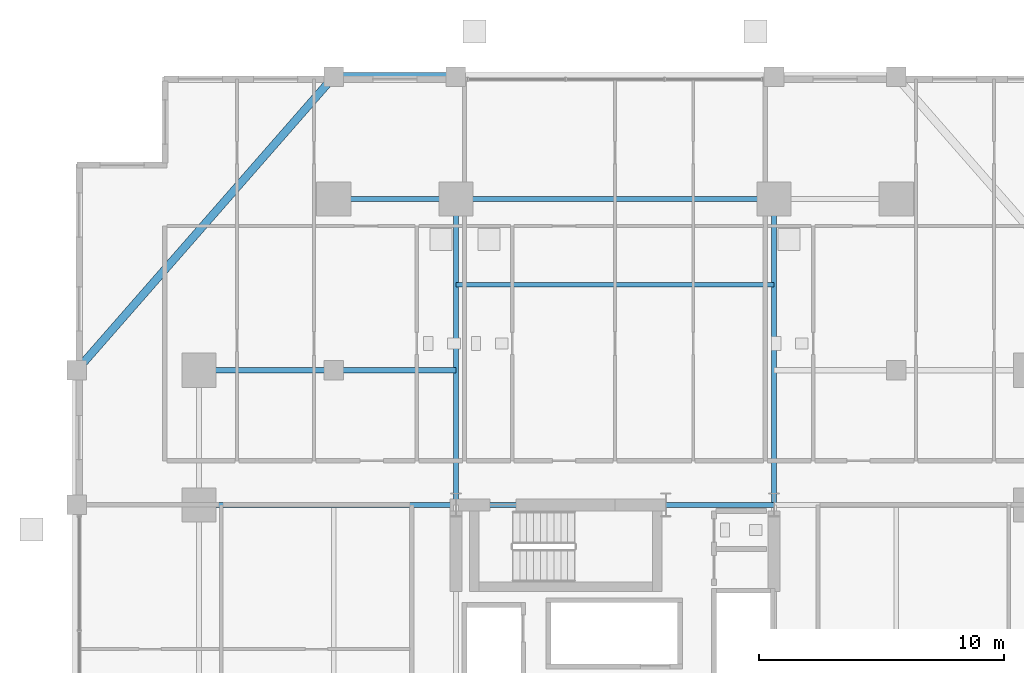
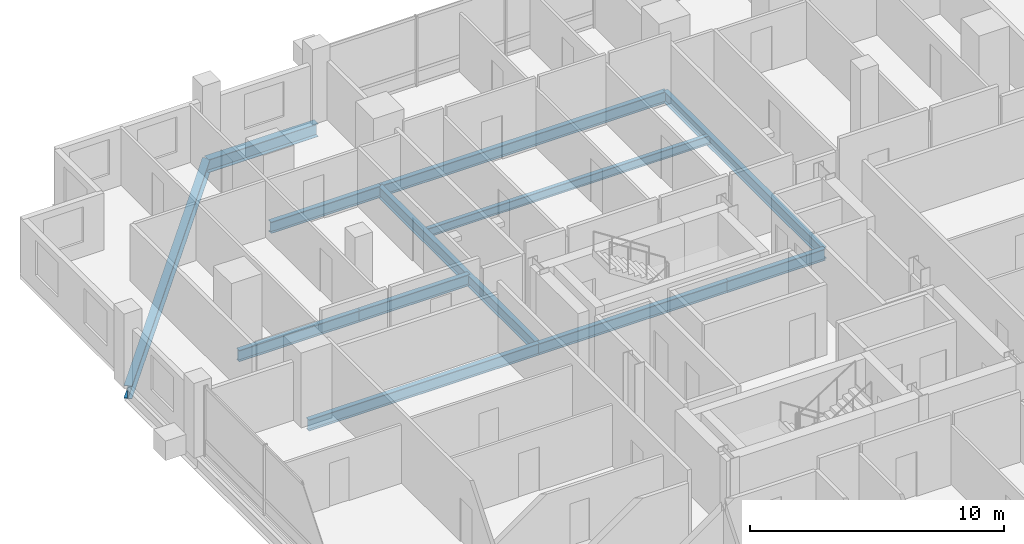
# One storey, part 12 of 24: 12 beams.
"""IFC4 building model written with IfcOpenShell, lengths in metres."""

from ifc_helpers import new_model, si_unit, direction, frame, origin, origin_2d, place, context, subcontext, project, spatial, i_section, extrude, material, material_profile, profile_set, type_object, element, save


model = new_model("IFC4")

# Units and contexts
model_context = context("Model", 3, precision=1e-05, world=origin(), true_north=direction((0.0, 1.0)))
body_context = subcontext(model_context, "Body", "Model", "MODEL_VIEW")
ifc_project = project(units=[si_unit("LENGTHUNIT", "METRE"), si_unit("AREAUNIT", "SQUARE_METRE"), si_unit("VOLUMEUNIT", "CUBIC_METRE"), si_unit("PLANEANGLEUNIT", "RADIAN"), si_unit("MASSUNIT", "GRAM", prefix="KILO")], contexts=[model_context])

# Site, building, storey
site_placement = place(None, origin())
site = spatial("IfcSite", under=ifc_project, at=site_placement, CompositionType="ELEMENT")
building_placement = place(site_placement, origin())
building = spatial("IfcBuilding", under=site, at=building_placement, Name="Barlavira Tower and Art Museum", CompositionType="ELEMENT")
storey_placement = place(building_placement, frame((0.0, 0.0, 43.199951171875)))
storey = spatial("IfcBuildingStorey", under=building, at=storey_placement, Name="L09", CompositionType="ELEMENT", Elevation=43.199951171875)

# Beams
ifc_material = material(Name="Steel S355", Category="steel")
ifc_material_profile_1 = material_profile(ifc_material, i_section(OverallWidth=0.327880859375, OverallDepth=0.62890625, WebThickness=0.013916015625, FlangeThickness=0.021484375, at=origin_2d()), Name="W610x174.0")
ifc_profile_set_1 = profile_set([ifc_material_profile_1], Name="Steel S355")
beam_type_1 = type_object("IfcBeamType", Name="Perimeter Spandrel Edge Beam W610x174 Steel S355", PredefinedType="SPANDREL", material=ifc_profile_set_1)
beam_1_placement = place(storey_placement, frame((-11.5, 25.0, -0.534423828125), z_axis=(1.0, 0.0, 0.0), x_axis=(0.0, 1.0, 0.0)))
element("IfcBeam", 1, at=beam_1_placement, inside=storey, type_object=beam_type_1, Name="L09 Spandrel 11", PredefinedType="SPANDREL", context=body_context, shape_type="SweptSolid", body=[
    extrude(i_section(OverallWidth=0.327880859375, OverallDepth=0.62890625, WebThickness=0.013916015625, FlangeThickness=0.021484375, at=origin_2d()), origin(), (0.0, 0.0, 1.0), 5.0),
])
beam_2_placement = place(storey_placement, frame((-11.5, 25.0, -0.534423828125), z_axis=(-0.658504607869, -0.752576694707, 0.0), x_axis=(0.752576694707, -0.658504607869, 0.0)))
element("IfcBeam", 2, at=beam_2_placement, inside=storey, type_object=beam_type_1, Name="L09 Spandrel 12", PredefinedType="SPANDREL", context=body_context, shape_type="SweptSolid", body=[
    extrude(i_section(OverallWidth=0.327880859375, OverallDepth=0.62890625, WebThickness=0.013916015625, FlangeThickness=0.021484375, at=origin_2d()), origin(), (0.0, 0.0, 1.0), 15.9453125),
])
ifc_material_profile_2 = material_profile(ifc_material, i_section(OverallWidth=0.180908203125, OverallDepth=0.4169921875, WebThickness=0.010986328125, FlangeThickness=0.018310546875, at=origin_2d()), Name="W410x85.0")
ifc_profile_set_2 = profile_set([ifc_material_profile_2], Name="Steel S355")
beam_type_2 = type_object("IfcBeamType", Name="Zone 1 Composite Floor Joist W410x85 Steel S355", PredefinedType="JOIST", material=ifc_profile_set_2)
beam_3_placement = place(storey_placement, frame((-6.5, 16.5, -0.428466796875), z_axis=(1.0, 0.0, 0.0), x_axis=(0.0, 1.0, 0.0)))
element("IfcBeam", 3, at=beam_3_placement, inside=storey, type_object=beam_type_2, Name="L09 Joist C2", PredefinedType="JOIST", context=body_context, shape_type="SweptSolid", body=[
    extrude(i_section(OverallWidth=0.180908203125, OverallDepth=0.4169921875, WebThickness=0.010986328125, FlangeThickness=0.018310546875, at=origin_2d()), origin(), (0.0, 0.0, 1.0), 13.0),
])
ifc_material_profile_3 = material_profile(ifc_material, i_section(OverallWidth=0.214111328125, OverallDepth=0.549072265625, WebThickness=0.0146484375, FlangeThickness=0.023681640625, at=origin_2d()), Name="W530x138.0")
ifc_profile_set_3 = profile_set([ifc_material_profile_3], Name="Steel S355")
beam_type_3 = type_object("IfcBeamType", Name="Zone 1 Primary Floor Girder W530x138 Steel S355", PredefinedType="BEAM", material=ifc_profile_set_3)
beam_4_placement = place(storey_placement, frame((-6.5, 7.5, -0.494384765625), z_axis=(1.0, 0.0, 0.0), x_axis=(0.0, 1.0, 0.0)))
element("IfcBeam", 4, at=beam_4_placement, inside=storey, type_object=beam_type_3, Name="L09 Girder C-N1", PredefinedType="BEAM", context=body_context, shape_type="SweptSolid", body=[
    extrude(i_section(OverallWidth=0.214111328125, OverallDepth=0.549072265625, WebThickness=0.0146484375, FlangeThickness=0.023681640625, at=origin_2d()), origin(), (0.0, 0.0, 1.0), 8.580078125),
])
beam_5_placement = place(storey_placement, frame((2.080078125, 7.5, -0.494384765625), z_axis=(1.0, 0.0, 0.0), x_axis=(0.0, 1.0, 0.0)))
element("IfcBeam", 5, at=beam_5_placement, inside=storey, type_object=beam_type_3, Name="L09 Girder C-N2", PredefinedType="BEAM", context=body_context, shape_type="SweptSolid", body=[
    extrude(i_section(OverallWidth=0.214111328125, OverallDepth=0.549072265625, WebThickness=0.0146484375, FlangeThickness=0.023681640625, at=origin_2d()), origin(), (0.0, 0.0, 1.0), 4.419921875),
])
beam_6_placement = place(storey_placement, frame((-11.5, 20.0, -0.494384765625), z_axis=(1.0, 0.0, 0.0), x_axis=(0.0, 1.0, 0.0)))
element("IfcBeam", 6, at=beam_6_placement, inside=storey, type_object=beam_type_3, Name="L09 Girder M-N1", PredefinedType="BEAM", context=body_context, shape_type="SweptSolid", body=[
    extrude(i_section(OverallWidth=0.214111328125, OverallDepth=0.549072265625, WebThickness=0.0146484375, FlangeThickness=0.023681640625, at=origin_2d()), origin(), (0.0, 0.0, 1.0), 5.0),
])
beam_7_placement = place(storey_placement, frame((-6.5, 20.0, -0.494384765625), z_axis=(1.0, 0.0, 0.0), x_axis=(0.0, 1.0, 0.0)))
element("IfcBeam", 7, at=beam_7_placement, inside=storey, type_object=beam_type_3, Name="L09 Girder M-N2", PredefinedType="BEAM", context=body_context, shape_type="SweptSolid", body=[
    extrude(i_section(OverallWidth=0.214111328125, OverallDepth=0.549072265625, WebThickness=0.0146484375, FlangeThickness=0.023681640625, at=origin_2d()), origin(), (0.0, 0.0, 1.0), 13.0),
])
for number, where, z_axis, x_axis, name in (
    (8, (-6.5, 7.5, -0.494384765625), (0.0, 1.0, 0.0), (-1.0, 0.0, 0.0), "L09 Girder R-N1"),
    (9, (6.5, 7.5, -0.494384765625), (0.0, 1.0, 0.0), (-1.0, 0.0, 0.0), "L09 Girder R-N2"),
):
    element("IfcBeam", number, at=place(storey_placement, frame(where, z_axis=z_axis, x_axis=x_axis)), inside=storey, type_object=beam_type_3, Name=name, PredefinedType="BEAM", context=body_context, shape_type="SweptSolid", body=[
        extrude(i_section(OverallWidth=0.214111328125, OverallDepth=0.549072265625, WebThickness=0.0146484375, FlangeThickness=0.023681640625, at=origin_2d()), origin(), (0.0, 0.0, 1.0), 12.5),
    ])
beam_8_placement = place(storey_placement, frame((-17.0, 7.5, -0.494384765625), z_axis=(1.0, 0.0, 0.0), x_axis=(0.0, 1.0, 0.0)))
element("IfcBeam", 10, at=beam_8_placement, inside=storey, type_object=beam_type_3, Name="L09 Girder R-W2", PredefinedType="BEAM", context=body_context, shape_type="SweptSolid", body=[
    extrude(i_section(OverallWidth=0.214111328125, OverallDepth=0.549072265625, WebThickness=0.0146484375, FlangeThickness=0.023681640625, at=origin_2d()), origin(), (0.0, 0.0, 1.0), 10.5),
])
beam_9_placement = place(storey_placement, frame((-17.0, 13.0, -0.494384765625), z_axis=(1.0, 0.0, 0.0), x_axis=(0.0, 1.0, 0.0)))
element("IfcBeam", 11, at=beam_9_placement, inside=storey, type_object=beam_type_3, Name="L09 Girder I-N1", PredefinedType="BEAM", context=body_context, shape_type="SweptSolid", body=[
    extrude(i_section(OverallWidth=0.214111328125, OverallDepth=0.549072265625, WebThickness=0.0146484375, FlangeThickness=0.023681640625, at=origin_2d()), origin(), (0.0, 0.0, 1.0), 5.5),
])
beam_10_placement = place(storey_placement, frame((-11.5, 13.0, -0.494384765625), z_axis=(1.0, 0.0, 0.0), x_axis=(0.0, 1.0, 0.0)))
element("IfcBeam", 12, at=beam_10_placement, inside=storey, type_object=beam_type_3, Name="L09 Girder I-N2", PredefinedType="BEAM", context=body_context, shape_type="SweptSolid", body=[
    extrude(i_section(OverallWidth=0.214111328125, OverallDepth=0.549072265625, WebThickness=0.0146484375, FlangeThickness=0.023681640625, at=origin_2d()), origin(), (0.0, 0.0, 1.0), 5.0),
])

save(model, "model.ifc")
